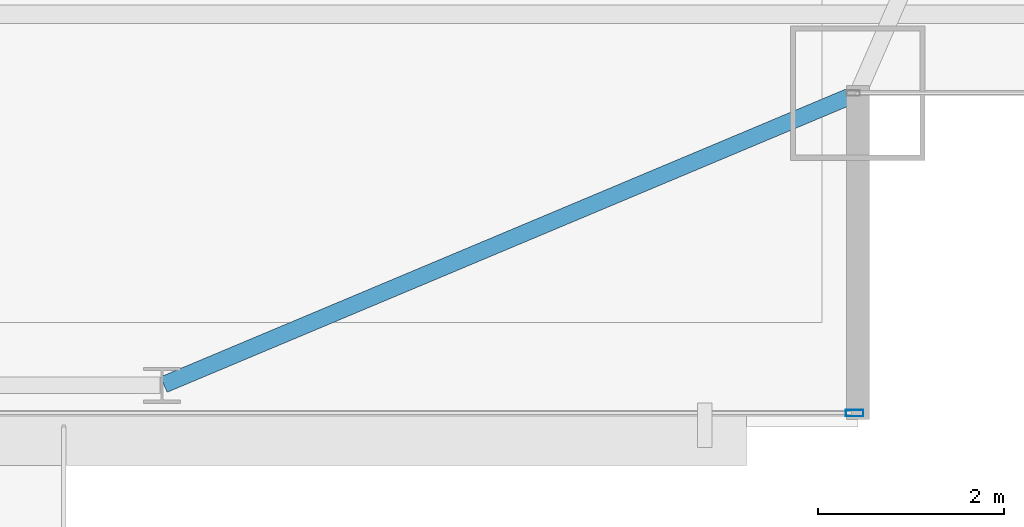
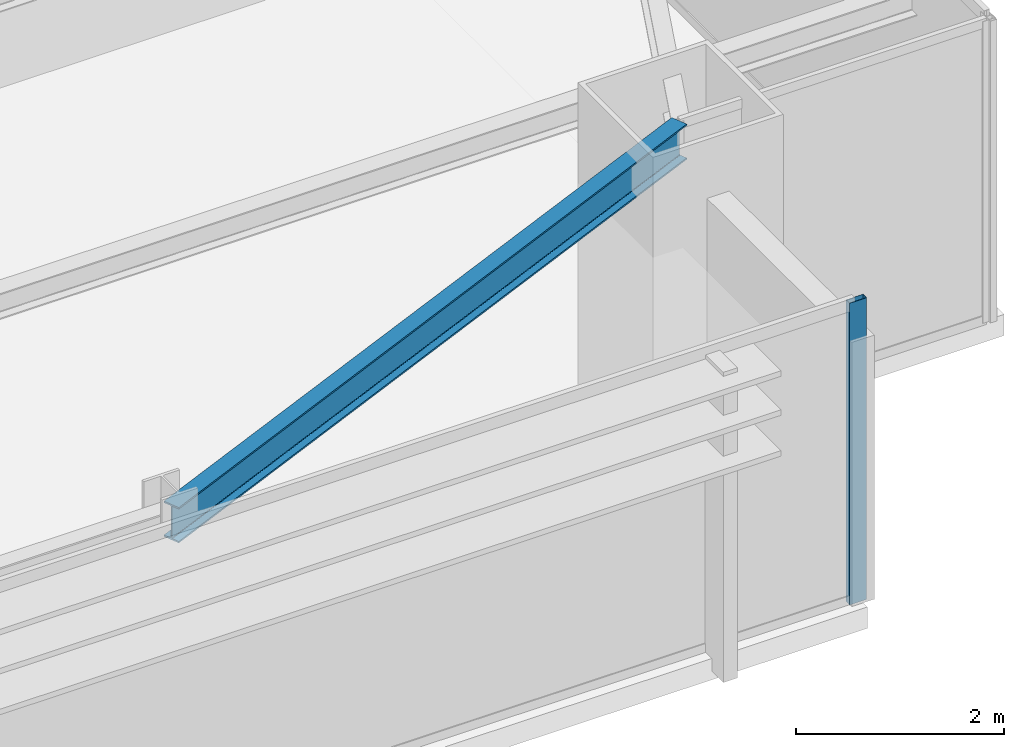
# One storey, part 16 of 38: 1 beam, 1 member, 1 element without a shape of its own.
"""IFC4 building model written with IfcOpenShell, lengths in metres."""

import ifcopenshell
import ifcopenshell.guid

model = None  # the IFC model being written
_history = None  # IfcOwnerHistory: only IFC2X3 demands one
_inside = {}  # id of a spatial element -> (the spatial element, [elements in it])
_under = {}  # id of a project, library or spatial element -> (it, [spatial elements below it])
_declared = {}  # id of a project -> (the project, [libraries it declares])
_typed = {}  # id of a type object -> (the type object, [elements of that type])
_made_of = {}  # id of a material, layer set ... -> (it, [elements and type objects made of it])


def new_model(schema):
    """Start an empty IFC model of exactly this schema.

    Asked for "IFC4X3", IfcOpenShell would pick the latest addendum, in which some entities
    have other attributes; the version numbers below select the first issue.
    IFC2X3 requires an IfcOwnerHistory on every rooted entity: one is made here for all.
    """
    global model, _history
    if schema == "IFC4X3":
        model = ifcopenshell.file(schema_version=(4, 3, 0, 0))
    else:
        model = ifcopenshell.file(schema=schema)
    _inside.clear()
    _under.clear()
    _declared.clear()
    _typed.clear()
    _made_of.clear()
    _history = None
    if model.schema == "IFC2X3":
        org = make("IfcOrganization", Name="unknown")
        user = make(
            "IfcPersonAndOrganization",
            ThePerson=make("IfcPerson", FamilyName="unknown"),
            TheOrganization=org,
        )
        app = make(
            "IfcApplication",
            ApplicationDeveloper=org,
            Version="unknown",
            ApplicationFullName="unknown",
            ApplicationIdentifier="unknown",
        )
        _history = make(
            "IfcOwnerHistory",
            OwningUser=user,
            OwningApplication=app,
            ChangeAction="ADDED",
            CreationDate=0,
        )
    return model


def make(cls, **values):
    """One entity of the class cls with the attributes given. An attribute that is None is left unset."""
    return model.create_entity(
        cls, **{name: value for name, value in values.items() if value is not None}
    )


def rooted(cls, **values):
    """An entity with a GlobalId (a new one), such as an element, a storey or a relation."""
    return make(cls, GlobalId=ifcopenshell.guid.new(), OwnerHistory=_history, **values)


def si_unit(unit_type, name, prefix=None):
    """IfcSIUnit, for example si_unit("LENGTHUNIT", "METRE", prefix="MILLI")."""
    return make("IfcSIUnit", UnitType=unit_type, Prefix=prefix, Name=name)


def assignment(units):
    """IfcUnitAssignment: the units of a project."""
    return None if units is None else make("IfcUnitAssignment", Units=units)


def point(xyz):
    """IfcCartesianPoint."""
    return None if xyz is None else make("IfcCartesianPoint", Coordinates=xyz)


def direction(xyz):
    """IfcDirection."""
    return None if xyz is None else make("IfcDirection", DirectionRatios=xyz)


def frame(location, z_axis=None, x_axis=None):
    """IfcAxis2Placement3D, a coordinate frame: its origin and axes. An axis left out is left unset."""
    return make(
        "IfcAxis2Placement3D",
        Location=point(location),
        Axis=direction(z_axis),
        RefDirection=direction(x_axis),
    )


def frame_2d(location, x_axis=None):
    """IfcAxis2Placement2D, a coordinate frame in the plane: its origin and x axis."""
    return make(
        "IfcAxis2Placement2D", Location=point(location), RefDirection=direction(x_axis)
    )


def origin():
    """The frame at (0, 0, 0) with its axes left unset."""
    return frame((0.0, 0.0, 0.0))


def origin_2d():
    """The frame at (0, 0) in the plane with its x axis left unset."""
    return frame_2d((0.0, 0.0))


def place(relative_to, where):
    """IfcLocalPlacement: puts the frame where relative to a parent placement (None: the world)."""
    return make(
        "IfcLocalPlacement", PlacementRelTo=relative_to, RelativePlacement=where
    )


def context(
    kind, dimensions, precision=None, world=None, true_north=None, identifier=None
):
    """IfcGeometricRepresentationContext, for example the 3D "Model" context."""
    return make(
        "IfcGeometricRepresentationContext",
        ContextIdentifier=identifier,
        ContextType=kind,
        CoordinateSpaceDimension=dimensions,
        Precision=precision,
        WorldCoordinateSystem=world,
        TrueNorth=true_north,
    )


def subcontext(parent, identifier, kind, view, scale=None):
    """IfcGeometricRepresentationSubContext, for example "Body" below "Model"."""
    return make(
        "IfcGeometricRepresentationSubContext",
        ContextIdentifier=identifier,
        ContextType=kind,
        ParentContext=parent,
        TargetScale=scale,
        TargetView=view,
    )


def project(units=None, contexts=None):
    """IfcProject with its units and contexts."""
    return rooted(
        "IfcProject",
        Name="project",
        RepresentationContexts=contexts,
        UnitsInContext=assignment(units),
    )


def spatial(cls, under=None, at=None, **own):
    """A site, building, storey or space (cls), placed at a placement, below another one or the project."""
    s = rooted(cls, ObjectPlacement=at, **own)
    if under is not None:
        _under.setdefault(under.id(), (under, []))[1].append(s)
    return s


def profile(cls, at=None, kind="AREA", **sizes):
    """A parametric profile (cls). Its sizes go by their IFC names, for example OverallWidth=200.0."""
    return make(cls, ProfileType=kind, Position=at, **sizes)


def hollow_rectangle(**sizes):
    """IfcRectangleHollowProfileDef."""
    return profile("IfcRectangleHollowProfileDef", **sizes)


def i_section(**sizes):
    """IfcIShapeProfileDef."""
    return profile("IfcIShapeProfileDef", **sizes)


def extrude(swept, where, along, depth):
    """IfcExtrudedAreaSolid: the profile swept, set in the frame where, extruded along a direction by depth."""
    return make(
        "IfcExtrudedAreaSolid",
        SweptArea=swept,
        Position=where,
        ExtrudedDirection=direction(along),
        Depth=depth,
    )


def shape(context_of_items, identifier, shape_type, items):
    """IfcShapeRepresentation: the items that make up one representation, for example the "Body"."""
    return make(
        "IfcShapeRepresentation",
        ContextOfItems=context_of_items,
        RepresentationIdentifier=identifier,
        RepresentationType=shape_type,
        Items=items,
    )


def source(mapping_origin, context_of_items, identifier, shape_type, items):
    """IfcRepresentationMap: a shape defined once, which mapped items show again and again."""
    return make(
        "IfcRepresentationMap",
        MappingOrigin=mapping_origin,
        MappedRepresentation=shape(context_of_items, identifier, shape_type, items),
    )


def transform(
    local_origin,
    x_axis=None,
    y_axis=None,
    z_axis=None,
    scale=None,
    scale2=None,
    scale3=None,
    uniform=True,
):
    """IfcCartesianTransformationOperator3D, or its non-uniform kind. x_axis, y_axis, z_axis: its Axis1, 2, 3."""
    if uniform:
        return make(
            "IfcCartesianTransformationOperator3D",
            Axis1=direction(x_axis),
            Axis2=direction(y_axis),
            LocalOrigin=point(local_origin),
            Scale=scale,
            Axis3=direction(z_axis),
        )
    return make(
        "IfcCartesianTransformationOperator3DnonUniform",
        Axis1=direction(x_axis),
        Axis2=direction(y_axis),
        LocalOrigin=point(local_origin),
        Scale=scale,
        Axis3=direction(z_axis),
        Scale2=scale2,
        Scale3=scale3,
    )


def mapped(mapping_source, mapping_target):
    """IfcMappedItem: shows the shape of a source again, moved by a transform."""
    return make(
        "IfcMappedItem", MappingSource=mapping_source, MappingTarget=mapping_target
    )


def material(Name=None, Category=None):
    """IfcMaterial."""
    return make("IfcMaterial", Name=Name, Category=Category)


def layer(
    of_material, thickness, ventilated=None, Name=None, Category=None, Priority=None
):
    """IfcMaterialLayer: one layer of a wall or slab, of a material (None: an air gap)."""
    return make(
        "IfcMaterialLayer",
        Material=of_material,
        LayerThickness=thickness,
        IsVentilated=ventilated,
        Name=Name,
        Category=Category,
        Priority=Priority,
    )


def layer_set(layers, Name=None):
    """IfcMaterialLayerSet."""
    return make("IfcMaterialLayerSet", MaterialLayers=layers, LayerSetName=Name)


def material_profile(
    of_material, cross_section, Name=None, Category=None, Priority=None
):
    """IfcMaterialProfile: a cross section and its material."""
    return make(
        "IfcMaterialProfile",
        Name=Name,
        Material=of_material,
        Profile=cross_section,
        Priority=Priority,
        Category=Category,
    )


def profile_set(profiles, Name=None, composite=None):
    """IfcMaterialProfileSet."""
    return make(
        "IfcMaterialProfileSet",
        Name=Name,
        MaterialProfiles=profiles,
        CompositeProfile=composite,
    )


def made_of(thing, what):
    """Note that an element or type object is made of a material, layer set ...; save() writes the relation."""
    if what is not None:
        _made_of.setdefault(what.id(), (what, []))[1].append(thing)
    return thing


def type_object(cls, material=None, **own):
    """A type object (cls), such as IfcWallType, which elements share."""
    return made_of(rooted(cls, **own), material)


def type_shapes(of_type, sources):
    """Give a type object the sources (RepresentationMaps) that its elements show as mapped items."""
    of_type.RepresentationMaps = sources


def element(
    cls,
    number,
    at=None,
    inside=None,
    cuts=None,
    type_object=None,
    material=None,
    context=None,
    identifier="Body",
    shape_type=None,
    held_by="IfcProductDefinitionShape",
    body=None,
    shapes=None,
    **own,
):
    """One element of the class cls, such as IfcWall. Its Tag is "e" and its number.

    at: its placement. inside: the storey or other place that contains it. cuts: it is an
    opening in that element (IfcRelVoidsElement). A single representation is given by context,
    identifier, shape_type and body (its items); several are given by shapes. held_by: the class
    of the entity that holds the representations. save() writes the other relations.
    """
    e = rooted(cls, Tag="e%d" % number, ObjectPlacement=at, **own)
    if body is not None:
        shapes = [shape(context, identifier, shape_type, body)]
    if shapes is not None:
        e.Representation = make(held_by, Representations=shapes)
    if inside is not None:
        _inside.setdefault(inside.id(), (inside, []))[1].append(e)
    if cuts is not None:
        rooted(
            "IfcRelVoidsElement", RelatingBuildingElement=cuts, RelatedOpeningElement=e
        )
    if type_object is not None:
        _typed.setdefault(type_object.id(), (type_object, []))[1].append(e)
    return made_of(e, material)


def aggregate(whole, parts):
    """IfcRelAggregates: a whole, such as a stair, and the parts it consists of."""
    return rooted("IfcRelAggregates", RelatingObject=whole, RelatedObjects=parts)


def save(model, path):
    """Write the relations noted so far, then the file.

    IfcRelAggregates (storeys below a building ...), IfcRelContainedInSpatialStructure (elements
    in a storey), IfcRelDefinesByType, IfcRelAssociatesMaterial and IfcRelDeclares: one each for
    every whole, place, type object, material and project.
    """
    for whole, parts in _under.values():
        aggregate(whole, parts)
    for where, things in _inside.values():
        rooted(
            "IfcRelContainedInSpatialStructure",
            RelatedElements=things,
            RelatingStructure=where,
        )
    for kind, things in _typed.values():
        rooted("IfcRelDefinesByType", RelatedObjects=things, RelatingType=kind)
    for what, things in _made_of.values():
        rooted("IfcRelAssociatesMaterial", RelatedObjects=things, RelatingMaterial=what)
    for by, libraries in _declared.values():
        rooted("IfcRelDeclares", RelatingContext=by, RelatedDefinitions=libraries)
    model.write(path)


model = new_model("IFC4")

# Units and contexts
model_context = context("Model", 3, precision=1e-05, world=origin(), true_north=direction((0.0, 1.0)))
body_context = subcontext(model_context, "Body", "Model", "MODEL_VIEW")
ifc_project = project(units=[si_unit("LENGTHUNIT", "METRE"), si_unit("AREAUNIT", "SQUARE_METRE"), si_unit("VOLUMEUNIT", "CUBIC_METRE"), si_unit("PLANEANGLEUNIT", "RADIAN"), si_unit("MASSUNIT", "GRAM", prefix="KILO")], contexts=[model_context])

# Site, building, storey
site_placement = place(None, origin())
site = spatial("IfcSite", under=ifc_project, at=site_placement, CompositionType="ELEMENT")
building_placement = place(site_placement, origin())
building = spatial("IfcBuilding", under=site, at=building_placement, Name="Varnel Quay Broadcast Tower", CompositionType="ELEMENT")
storey_placement = place(building_placement, frame((0.0, 0.0, 118.199951171875)))
storey = spatial("IfcBuildingStorey", under=building, at=storey_placement, Name="L28", CompositionType="ELEMENT", Elevation=118.199951171875)

# Beam
ifc_material_1 = material(Name="Structural Steel CSA G40.21 350W", Category="steel")
ifc_material_profile_1 = material_profile(ifc_material_1, i_section(OverallWidth=0.180908203125, OverallDepth=0.4169921875, WebThickness=0.010986328125, FlangeThickness=0.018310546875, FilletRadius=0.011962890625, at=origin_2d()), Name="W410X85")
ifc_profile_set_1 = profile_set([ifc_material_profile_1], Name="Structural Steel CSA G40.21 350W")
beam_type = type_object("IfcBeamType", Name="Beam_W410X85", PredefinedType="SPANDREL", material=ifc_profile_set_1)
shared_shape_1 = source(origin(), body_context, "Body", "SweptSolid", [
    extrude(i_section(OverallWidth=0.180908203125, OverallDepth=0.4169921875, WebThickness=0.010986328125, FlangeThickness=0.018310546875, FilletRadius=0.011962890625, at=origin_2d()), origin(), (0.0, 0.0, 1.0), 8.0947265625),
])
type_shapes(beam_type, [shared_shape_1])
beam_placement = place(storey_placement, frame((52.41845703125, 4.65771484375, 3.341552734375), z_axis=(0.921981890247, 0.387232997117, 0.0), x_axis=(-0.387232997117, 0.921981890247, 0.0)))
element("IfcBeam", 1, at=beam_placement, inside=storey, type_object=beam_type, Name="L28 South Spandrel TC-S5-MC-SE", PredefinedType="SPANDREL", context=body_context, shape_type="MappedRepresentation", body=[
    mapped(shared_shape_1, transform((0.0, 0.0, 0.0), x_axis=(1.0, 0.0, 0.0), y_axis=(0.0, 1.0, 0.0), z_axis=(0.0, 0.0, 1.0), scale=1.0)),
])

# Curtain wall, member
ifc_material_2 = material(Name="Anodised Bronze Aluminium 6063-T6", Category="aluminium")
ifc_layer = layer(ifc_material_2, 0.18994140625, Name="Anodised Bronze Aluminium 6063-T6")
ifc_layer_set = layer_set([ifc_layer], Name="Anodised Bronze Aluminium 6063-T6")
curtain_wall_type = type_object("IfcCurtainWallType", Name="CW_LowerTower", PredefinedType="NOTDEFINED", material=ifc_layer_set)
curtain_wall_placement = place(storey_placement, origin())
curtain_wall = element("IfcCurtainWall", 2, at=curtain_wall_placement, inside=storey, type_object=curtain_wall_type, Name="L28 South Unitised Curtain Wall 3", PredefinedType="NOTDEFINED")
ifc_material_profile_2 = material_profile(ifc_material_2, hollow_rectangle(XDim=0.070068359375, YDim=0.18994140625, WallThickness=0.00390625, at=origin_2d()), Name="ALU70X190X4")
ifc_profile_set_2 = profile_set([ifc_material_profile_2], Name="Anodised Bronze Aluminium 6063-T6")
member_type = type_object("IfcMemberType", Name="Mull_CWS-02", PredefinedType="MULLION", material=ifc_profile_set_2)
shared_shape_2 = source(origin(), body_context, "Body", "SweptSolid", [
    extrude(hollow_rectangle(XDim=0.070068359375, YDim=0.18994140625, WallThickness=0.00390625, at=origin_2d()), origin(), (0.0, 0.0, 1.0), 3.550048828125),
])
type_shapes(member_type, [shared_shape_2])
member_placement = place(storey_placement, frame((59.864990234375, 4.35009765625, 0.0), z_axis=(0.0, 0.0, 1.0), x_axis=(0.0, 1.0, 0.0)))
member = element("IfcMember", 3, at=member_placement, type_object=member_type, Name="CWS-02 mullion 2", PredefinedType="MULLION", context=body_context, shape_type="MappedRepresentation", body=[
    mapped(shared_shape_2, transform((0.0, 0.0, 0.0), x_axis=(1.0, 0.0, 0.0), y_axis=(0.0, 1.0, 0.0), z_axis=(0.0, 0.0, 1.0), scale=1.0)),
])
aggregate(curtain_wall, [member])

save(model, "model.ifc")
